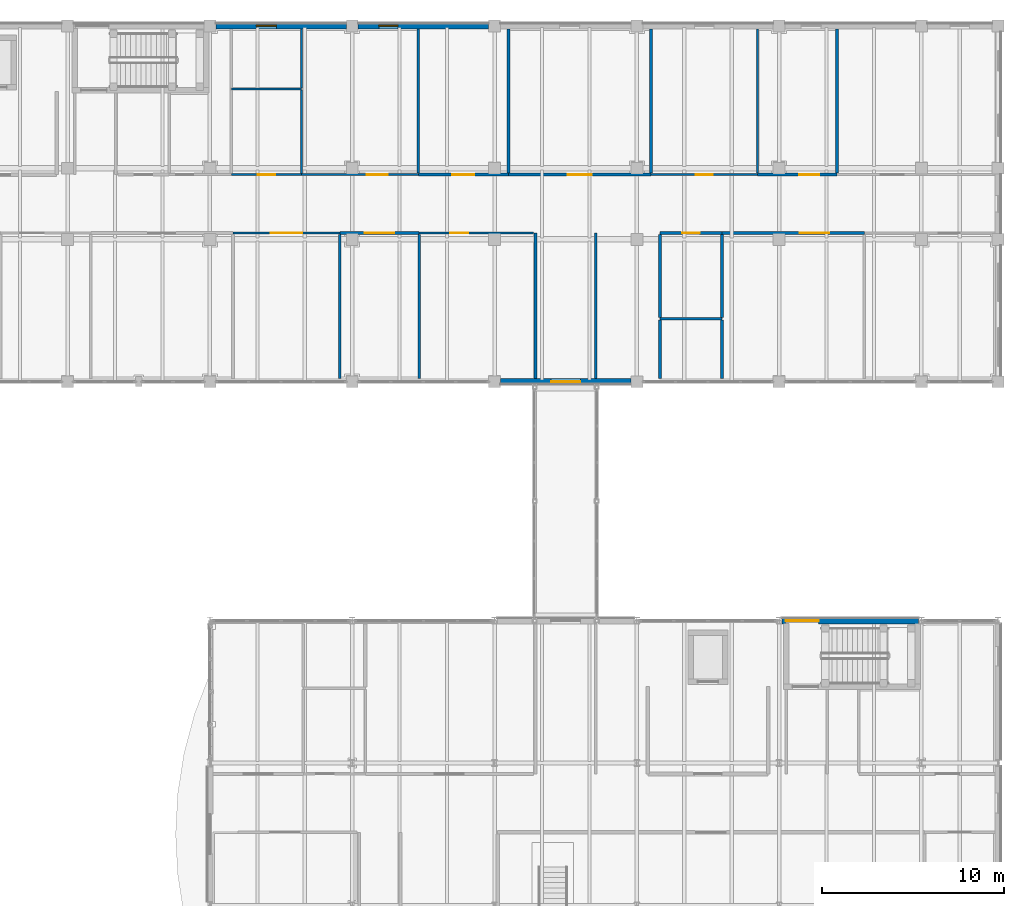
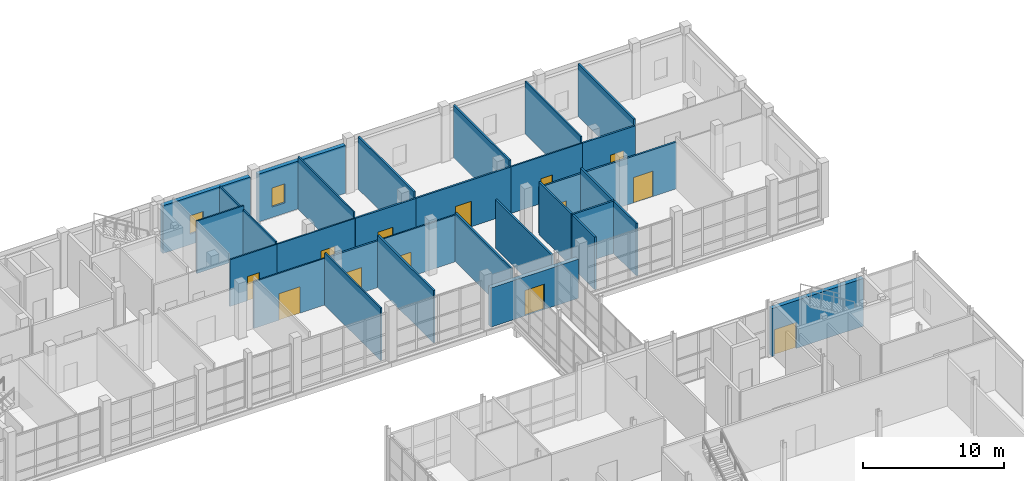
# One storey, part 104 of 131: 32 walls, 13 doors, 2 windows, 15 openings.
"""IFC4 building model written with IfcOpenShell, lengths in metres."""

from ifc_helpers import new_model, si_unit, direction, frame, frame_2d, origin, place, context, subcontext, project, spatial, rectangle, extrude, material, layer, layer_set, type_object, element, fill, save


model = new_model("IFC4")

# Units and contexts
model_context = context("Model", 3, precision=1e-05, world=origin(), true_north=direction((0.0, 1.0)))
body_context = subcontext(model_context, "Body", "Model", "MODEL_VIEW")
ifc_project = project(units=[si_unit("LENGTHUNIT", "METRE"), si_unit("AREAUNIT", "SQUARE_METRE"), si_unit("VOLUMEUNIT", "CUBIC_METRE"), si_unit("PLANEANGLEUNIT", "RADIAN"), si_unit("MASSUNIT", "GRAM", prefix="KILO")], contexts=[model_context])

# Site, building, storey
site_placement = place(None, origin())
site = spatial("IfcSite", under=ifc_project, at=site_placement, CompositionType="ELEMENT")
building_placement = place(site_placement, origin())
building = spatial("IfcBuilding", under=site, at=building_placement, Name="Celorna Specialist Clinic", CompositionType="ELEMENT")
storey_placement = place(building_placement, origin())
storey = spatial("IfcBuildingStorey", under=building, at=storey_placement, Name="L00", CompositionType="ELEMENT", Elevation=0.0)

# Wall, opening, door
ifc_material_1 = material(Name="Pero Pinheiro Lioz limestone insulated masonry", Category="masonry")
ifc_layer_1 = layer(ifc_material_1, 0.340087890625, Name="Pero Pinheiro Lioz limestone insulated masonry")
ifc_layer_set_1 = layer_set([ifc_layer_1], Name="Pero Pinheiro Lioz limestone insulated masonry")
wall_type_1 = type_object("IfcWallType", Name="WT-07", PredefinedType="STANDARD", material=ifc_layer_set_1)
wall_1_placement = place(storey_placement, frame((156.14990234375, 83.39990234375, 0.0), z_axis=(0.0, 0.0, 1.0), x_axis=(1.0, 0.0, 0.0)))
wall_1 = element("IfcWall", 1, at=wall_1_placement, inside=storey, type_object=wall_type_1, Name="External facade wall WT-07 #145", PredefinedType="STANDARD", context=body_context, shape_type="SweptSolid", body=[
    extrude(rectangle(XDim=7.5, YDim=0.340087890625, at=frame_2d((3.75, 0.0))), origin(), (0.0, 0.0, 1.0), 4.139892578125),
])
opening_1_placement = place(wall_1_placement, frame((0.2099609375, 0.0, 0.0)))
opening_1 = element("IfcOpeningElement", 2, at=opening_1_placement, cuts=wall_1, Name="Opening DR-14", PredefinedType="OPENING", context=body_context, shape_type="SweptSolid", body=[
    extrude(rectangle(XDim=1.800048828125, YDim=2.25, at=frame_2d((0.89990234375, 1.125))), frame((0.0, 0.179931640625, 0.0), z_axis=(0.0, -1.0, 0.0), x_axis=(1.0, 0.0, 0.0)), (0.0, 0.0, 1.0), 0.360107421875),
])
ifc_material_2 = material(Name="Glazed aluminium final exit double door", Category="aluminium")
door_type_1 = type_object("IfcDoorType", Name="DR-14", OperationType="DOUBLE_DOOR_SINGLE_SWING", PredefinedType="DOOR", material=ifc_material_2)
door_1_placement = place(opening_1_placement, origin())
door_1 = element("IfcDoor", 3, at=door_1_placement, inside=storey, type_object=door_type_1, Name="Pedestrian final exit E12", OperationType="DOUBLE_DOOR_SINGLE_SWING", OverallHeight=2.25, OverallWidth=1.800048828125, PredefinedType="DOOR", context=body_context, shape_type="SweptSolid", body=[
    extrude(rectangle(XDim=1.800048828125, YDim=2.25, at=frame_2d((0.89990234375, 1.125))), frame((0.0, 0.02490234375, 0.0), z_axis=(0.0, -1.0, 0.0), x_axis=(1.0, 0.0, 0.0)), (0.0, 0.0, 1.0), 0.050048828125),
])
fill(opening_1, door_1)

wall_2_placement = place(storey_placement, frame((147.875, 96.5, 0.0), z_axis=(0.0, 0.0, 1.0), x_axis=(-1.0, 0.0, 0.0)))
wall_2 = element("IfcWall", 4, at=wall_2_placement, inside=storey, type_object=wall_type_1, Name="External facade wall WT-07 #158", PredefinedType="STANDARD", context=body_context, shape_type="SweptSolid", body=[
    extrude(rectangle(XDim=7.14990234375, YDim=0.340087890625, at=frame_2d((3.574951171875, 0.0))), origin(), (0.0, 0.0, 1.0), 3.385009765625),
])
opening_2_placement = place(wall_2_placement, frame((2.77490234375, 0.0, 0.0)))
opening_2 = element("IfcOpeningElement", 5, at=opening_2_placement, cuts=wall_2, Name="Opening DR-12", PredefinedType="OPENING", context=body_context, shape_type="SweptSolid", body=[
    extrude(rectangle(XDim=1.60009765625, YDim=2.199951171875, at=frame_2d((0.800048828125, 1.10009765625))), frame((0.0, 0.179931640625, 0.0), z_axis=(0.0, -1.0, 0.0), x_axis=(1.0, 0.0, 0.0)), (0.0, 0.0, 1.0), 0.360107421875),
])
ifc_material_3 = material(Name="Corridor cross-compartment pair door")
door_type_2 = type_object("IfcDoorType", Name="DR-12", OperationType="DOUBLE_DOOR_SINGLE_SWING", PredefinedType="DOOR", material=ifc_material_3)
door_2_placement = place(opening_2_placement, frame((1.60009765625, 0.0, 0.0), z_axis=(0.0, 0.0, 1.0), x_axis=(-1.0, 0.0, 0.0)))
door_2 = element("IfcDoor", 6, at=door_2_placement, inside=storey, type_object=door_type_2, Name="Bridge BR-05 north/east portal door L00", OperationType="DOUBLE_DOOR_SINGLE_SWING", OverallHeight=2.199951171875, OverallWidth=1.60009765625, PredefinedType="DOOR", context=body_context, shape_type="SweptSolid", body=[
    extrude(rectangle(XDim=1.60009765625, YDim=2.199951171875, at=frame_2d((0.800048828125, 1.10009765625))), frame((0.0, 0.02490234375, 0.0), z_axis=(0.0, -1.0, 0.0), x_axis=(1.0, 0.0, 0.0)), (0.0, 0.0, 1.0), 0.050048828125),
])
fill(opening_2, door_2)

# Wall, opening, window
wall_3_placement = place(storey_placement, frame((125.125, 116.0, 0.0), z_axis=(0.0, 0.0, 1.0), x_axis=(1.0, 0.0, 0.0)))
wall_3 = element("IfcWall", 7, at=wall_3_placement, inside=storey, type_object=wall_type_1, Name="External facade wall WT-07 #175", PredefinedType="STANDARD", context=body_context, shape_type="SweptSolid", body=[
    extrude(rectangle(XDim=7.14990234375, YDim=0.340087890625, at=frame_2d((3.574951171875, 0.0))), origin(), (0.0, 0.0, 1.0), 4.139892578125),
])
opening_3_placement = place(wall_3_placement, frame((2.219970703125, 0.0, 0.89990234375)))
opening_3 = element("IfcOpeningElement", 8, at=opening_3_placement, cuts=wall_3, Name="Opening WN-03", PredefinedType="OPENING", context=body_context, shape_type="SweptSolid", body=[
    extrude(rectangle(XDim=1.10009765625, YDim=1.60009765625, at=frame_2d((0.550048828125, 0.800048828125))), frame((0.0, 0.179931640625, 0.0), z_axis=(0.0, -1.0, 0.0), x_axis=(1.0, 0.0, 0.0)), (0.0, 0.0, 1.0), 0.360107421875),
])
ifc_material_4 = material(Name="Thermally broken aluminium triple-glazed window", Category="aluminium")
window_type_1 = type_object("IfcWindowType", Name="WN-03", PartitioningType="SINGLE_PANEL", PredefinedType="WINDOW", material=ifc_material_4)
window_1_placement = place(opening_3_placement, origin())
window_1 = element("IfcWindow", 9, at=window_1_placement, inside=storey, type_object=window_type_1, Name="Facade window WN-03 #67", OverallHeight=1.60009765625, OverallWidth=1.10009765625, PartitioningType="SINGLE_PANEL", PredefinedType="WINDOW", context=body_context, shape_type="SweptSolid", body=[
    extrude(rectangle(XDim=1.10009765625, YDim=1.60009765625, at=frame_2d((0.550048828125, 0.800048828125))), frame((0.0, 0.030029296875, 0.0), z_axis=(0.0, -1.0, 0.0), x_axis=(1.0, 0.0, 0.0)), (0.0, 0.0, 1.0), 0.06005859375),
])
fill(opening_3, window_1)

wall_4_placement = place(storey_placement, frame((132.925048828125, 116.0, 0.0), z_axis=(0.0, 0.0, 1.0), x_axis=(1.0, 0.0, 0.0)))
wall_4 = element("IfcWall", 10, at=wall_4_placement, inside=storey, type_object=wall_type_1, Name="External facade wall WT-07 #176", PredefinedType="STANDARD", context=body_context, shape_type="SweptSolid", body=[
    extrude(rectangle(XDim=7.14990234375, YDim=0.340087890625, at=frame_2d((3.574951171875, 0.0))), origin(), (0.0, 0.0, 1.0), 4.139892578125),
])
opening_4_placement = place(wall_4_placement, frame((1.132568359375, 0.0, 0.89990234375)))
opening_4 = element("IfcOpeningElement", 11, at=opening_4_placement, cuts=wall_4, Name="Opening WN-21", PredefinedType="OPENING", context=body_context, shape_type="SweptSolid", body=[
    extrude(rectangle(XDim=1.050048828125, YDim=1.64990234375, at=frame_2d((0.52490234375, 0.824951171875))), frame((0.0, 0.179931640625, 0.0), z_axis=(0.0, -1.0, 0.0), x_axis=(1.0, 0.0, 0.0)), (0.0, 0.0, 1.0), 0.360107421875),
])
window_type_2 = type_object("IfcWindowType", Name="WN-21", PartitioningType="SINGLE_PANEL", PredefinedType="WINDOW", material=ifc_material_4)
window_2_placement = place(opening_4_placement, origin())
window_2 = element("IfcWindow", 12, at=window_2_placement, inside=storey, type_object=window_type_2, Name="Facade window WN-21 #68", OverallHeight=1.64990234375, OverallWidth=1.050048828125, PartitioningType="SINGLE_PANEL", PredefinedType="WINDOW", context=body_context, shape_type="SweptSolid", body=[
    extrude(rectangle(XDim=1.050048828125, YDim=1.64990234375, at=frame_2d((0.52490234375, 0.824951171875))), frame((0.0, 0.030029296875, 0.0), z_axis=(0.0, -1.0, 0.0), x_axis=(1.0, 0.0, 0.0)), (0.0, 0.0, 1.0), 0.06005859375),
])
fill(opening_4, window_2)

# Walls
ifc_material_5 = material(Name="Fire-rated gypsum board partition")
ifc_layer_2 = layer(ifc_material_5, 0.14990234375, Name="Fire-rated gypsum board partition")
ifc_layer_set_2 = layer_set([ifc_layer_2], Name="Fire-rated gypsum board partition")
wall_type_2 = type_object("IfcWallType", Name="WT-14", PredefinedType="PARTITIONING", material=ifc_layer_set_2)
for number, where, z_axis, x_axis, name in (
    (13, (142.64990234375, 96.669921875, 0.0), (0.0, 0.0, 1.0), (0.0, 1.0, 0.0), "Corridor spur partition WT-14"),
    (14, (145.949951171875, 96.669921875, 0.0), (0.0, 0.0, 1.0), (0.0, 1.0, 0.0), "Corridor spur partition WT-14"),
):
    element("IfcWall", number, at=place(storey_placement, frame(where, z_axis=z_axis, x_axis=x_axis)), inside=storey, type_object=wall_type_2, Name=name, PredefinedType="PARTITIONING", context=body_context, shape_type="SweptSolid", body=[
        extrude(rectangle(XDim=7.97998046875, YDim=0.14990234375, at=frame_2d((3.989990234375, 0.0))), origin(), (0.0, 0.0, 1.0), 4.2099609375),
    ])

# Wall, opening, door
wall_5_placement = place(storey_placement, frame((136.27001953125, 104.64990234375, 0.0), z_axis=(0.0, 0.0, 1.0), x_axis=(-1.0, 0.0, 0.0)))
wall_5 = element("IfcWall", 15, at=wall_5_placement, inside=storey, type_object=wall_type_2, Name="Interior partition WT-14 L00-066", PredefinedType="PARTITIONING", context=body_context, shape_type="SweptSolid", body=[
    extrude(rectangle(XDim=4.35009765625, YDim=0.14990234375, at=frame_2d((2.175048828125, 0.0))), origin(), (0.0, 0.0, 1.0), 4.0400390625),
])
opening_5_placement = place(wall_5_placement, frame((1.375, 0.0, 0.0)))
opening_5 = element("IfcOpeningElement", 16, at=opening_5_placement, cuts=wall_5, Name="Opening DR-12", PredefinedType="OPENING", context=body_context, shape_type="SweptSolid", body=[
    extrude(rectangle(XDim=1.60009765625, YDim=2.199951171875, at=frame_2d((0.800048828125, 1.10009765625))), frame((0.0, 0.0849609375, 0.0), z_axis=(0.0, -1.0, 0.0), x_axis=(1.0, 0.0, 0.0)), (0.0, 0.0, 1.0), 0.169921875),
])
door_3_placement = place(opening_5_placement, origin())
door_3 = element("IfcDoor", 17, at=door_3_placement, inside=storey, type_object=door_type_2, Name="Outpatient Waiting Lounge door L00-066", OperationType="DOUBLE_DOOR_SINGLE_SWING", OverallHeight=2.199951171875, OverallWidth=1.60009765625, PredefinedType="DOOR", context=body_context, shape_type="SweptSolid", body=[
    extrude(rectangle(XDim=1.60009765625, YDim=2.199951171875, at=frame_2d((0.800048828125, 1.10009765625))), frame((0.0, 0.02490234375, 0.0), z_axis=(0.0, -1.0, 0.0), x_axis=(1.0, 0.0, 0.0)), (0.0, 0.0, 1.0), 0.050048828125),
])
fill(opening_5, door_3)

wall_6_placement = place(storey_placement, frame((152.8701171875, 104.64990234375, 0.0), z_axis=(0.0, 0.0, 1.0), x_axis=(-1.0, 0.0, 0.0)))
wall_6 = element("IfcWall", 18, at=wall_6_placement, inside=storey, type_object=wall_type_2, Name="Interior partition WT-14 L00-068", PredefinedType="PARTITIONING", context=body_context, shape_type="SweptSolid", body=[
    extrude(rectangle(XDim=3.400146484375, YDim=0.14990234375, at=frame_2d((1.7001953125, 0.0))), origin(), (0.0, 0.0, 1.0), 4.0400390625),
])
opening_6_placement = place(wall_6_placement, frame((1.22509765625, 0.0, 0.0)))
opening_6 = element("IfcOpeningElement", 19, at=opening_6_placement, cuts=wall_6, Name="Opening DR-03", PredefinedType="OPENING", context=body_context, shape_type="SweptSolid", body=[
    extrude(rectangle(XDim=0.949951171875, YDim=2.10009765625, at=frame_2d((0.47509765625, 1.050048828125))), frame((0.0, 0.0849609375, 0.0), z_axis=(0.0, -1.0, 0.0), x_axis=(1.0, 0.0, 0.0)), (0.0, 0.0, 1.0), 0.169921875),
])
ifc_material_6 = material(Name="Moisture-resistant accessible WC door")
door_type_3 = type_object("IfcDoorType", Name="DR-03", OperationType="NOTDEFINED", PredefinedType="DOOR", material=ifc_material_6)
door_4_placement = place(opening_6_placement, origin())
door_4 = element("IfcDoor", 20, at=door_4_placement, inside=storey, type_object=door_type_3, Name="Accessible WC door L00-068", OperationType="SINGLE_SWING_RIGHT", OverallHeight=2.10009765625, OverallWidth=0.949951171875, PredefinedType="DOOR", context=body_context, shape_type="SweptSolid", body=[
    extrude(rectangle(XDim=0.949951171875, YDim=2.10009765625, at=frame_2d((0.47509765625, 1.050048828125))), frame((0.0, 0.02490234375, 0.0), z_axis=(0.0, -1.0, 0.0), x_axis=(1.0, 0.0, 0.0)), (0.0, 0.0, 1.0), 0.050048828125),
])
fill(opening_6, door_4)

# Wall
wall_7_placement = place(storey_placement, frame((149.469970703125, 99.949951171875, 0.0), z_axis=(0.0, 0.0, 1.0), x_axis=(1.0, 0.0, 0.0)))
element("IfcWall", 21, at=wall_7_placement, inside=storey, type_object=wall_type_2, Name="Sanitary suite rear partition L00-068", PredefinedType="PARTITIONING", context=body_context, shape_type="SweptSolid", body=[
    extrude(rectangle(XDim=3.400146484375, YDim=0.14990234375, at=frame_2d((1.7001953125, 0.0))), origin(), (0.0, 0.0, 1.0), 4.5400390625),
])

# Wall, opening, door
wall_8_placement = place(storey_placement, frame((160.669921875, 104.64990234375, 0.0), z_axis=(0.0, 0.0, 1.0), x_axis=(-1.0, 0.0, 0.0)))
wall_8 = element("IfcWall", 22, at=wall_8_placement, inside=storey, type_object=wall_type_2, Name="Interior partition WT-14 L00-069", PredefinedType="PARTITIONING", context=body_context, shape_type="SweptSolid", body=[
    extrude(rectangle(XDim=7.7998046875, YDim=0.14990234375, at=frame_2d((3.89990234375, 0.0))), origin(), (0.0, 0.0, 1.0), 4.0400390625),
])
opening_7_placement = place(wall_8_placement, frame((1.929931640625, 0.0, 0.0)))
opening_7 = element("IfcOpeningElement", 23, at=opening_7_placement, cuts=wall_8, Name="Opening DR-12", PredefinedType="OPENING", context=body_context, shape_type="SweptSolid", body=[
    extrude(rectangle(XDim=1.60009765625, YDim=2.199951171875, at=frame_2d((0.800048828125, 1.10009765625))), frame((0.0, 0.0849609375, 0.0), z_axis=(0.0, -1.0, 0.0), x_axis=(1.0, 0.0, 0.0)), (0.0, 0.0, 1.0), 0.169921875),
])
door_5_placement = place(opening_7_placement, origin())
door_5 = element("IfcDoor", 24, at=door_5_placement, inside=storey, type_object=door_type_2, Name="Outpatient Waiting Lounge door L00-069", OperationType="DOUBLE_DOOR_SINGLE_SWING", OverallHeight=2.199951171875, OverallWidth=1.60009765625, PredefinedType="DOOR", context=body_context, shape_type="SweptSolid", body=[
    extrude(rectangle(XDim=1.60009765625, YDim=2.199951171875, at=frame_2d((0.800048828125, 1.10009765625))), frame((0.0, 0.02490234375, 0.0), z_axis=(0.0, -1.0, 0.0), x_axis=(1.0, 0.0, 0.0)), (0.0, 0.0, 1.0), 0.050048828125),
])
fill(opening_7, door_5)

wall_9_placement = place(storey_placement, frame((136.219970703125, 107.85009765625, 0.0), z_axis=(0.0, 0.0, 1.0), x_axis=(1.0, 0.0, 0.0)))
wall_9 = element("IfcWall", 25, at=wall_9_placement, inside=storey, type_object=wall_type_2, Name="Interior partition WT-14 L00-083", PredefinedType="PARTITIONING", context=body_context, shape_type="SweptSolid", body=[
    extrude(rectangle(XDim=4.949951171875, YDim=0.14990234375, at=frame_2d((2.47509765625, 0.0))), origin(), (0.0, 0.0, 1.0), 4.0400390625),
])
opening_8_placement = place(wall_9_placement, frame((1.875, 0.0, 0.0)))
opening_8 = element("IfcOpeningElement", 26, at=opening_8_placement, cuts=wall_9, Name="Opening DR-08", PredefinedType="OPENING", context=body_context, shape_type="SweptSolid", body=[
    extrude(rectangle(XDim=1.199951171875, YDim=2.199951171875, at=frame_2d((0.60009765625, 1.10009765625))), frame((0.0, 0.0849609375, 0.0), z_axis=(0.0, -1.0, 0.0), x_axis=(1.0, 0.0, 0.0)), (0.0, 0.0, 1.0), 0.169921875),
])
ifc_material_7 = material(Name="Stretcher-width clinical door")
door_type_4 = type_object("IfcDoorType", Name="DR-08", OperationType="NOTDEFINED", PredefinedType="DOOR", material=ifc_material_7)
door_6_placement = place(opening_8_placement, origin())
door_6 = element("IfcDoor", 27, at=door_6_placement, inside=storey, type_object=door_type_4, Name="Outpatient Clinic door L00-083", OperationType="SINGLE_SWING_LEFT", OverallHeight=2.199951171875, OverallWidth=1.199951171875, PredefinedType="DOOR", context=body_context, shape_type="SweptSolid", body=[
    extrude(rectangle(XDim=1.199951171875, YDim=2.199951171875, at=frame_2d((0.60009765625, 1.10009765625))), frame((0.0, 0.02490234375, 0.0), z_axis=(0.0, -1.0, 0.0), x_axis=(1.0, 0.0, 0.0)), (0.0, 0.0, 1.0), 0.050048828125),
])
fill(opening_8, door_6)

wall_10_placement = place(storey_placement, frame((141.169921875, 107.85009765625, 0.0), z_axis=(0.0, 0.0, 1.0), x_axis=(1.0, 0.0, 0.0)))
wall_10 = element("IfcWall", 28, at=wall_10_placement, inside=storey, type_object=wall_type_2, Name="Interior partition WT-14 L00-084", PredefinedType="PARTITIONING", context=body_context, shape_type="SweptSolid", body=[
    extrude(rectangle(XDim=7.800048828125, YDim=0.14990234375, at=frame_2d((3.89990234375, 0.0))), origin(), (0.0, 0.0, 1.0), 4.0400390625),
])
opening_9_placement = place(wall_10_placement, frame((3.25, 0.0, 0.0)))
opening_9 = element("IfcOpeningElement", 29, at=opening_9_placement, cuts=wall_10, Name="Opening DR-09", PredefinedType="OPENING", context=body_context, shape_type="SweptSolid", body=[
    extrude(rectangle(XDim=1.300048828125, YDim=2.199951171875, at=frame_2d((0.64990234375, 1.10009765625))), frame((0.0, 0.0849609375, 0.0), z_axis=(0.0, -1.0, 0.0), x_axis=(1.0, 0.0, 0.0)), (0.0, 0.0, 1.0), 0.169921875),
])
ifc_material_8 = material(Name="Lead-lined radiology room door")
door_type_5 = type_object("IfcDoorType", Name="DR-09", OperationType="NOTDEFINED", PredefinedType="DOOR", material=ifc_material_8)
door_7_placement = place(opening_9_placement, origin())
door_7 = element("IfcDoor", 30, at=door_7_placement, inside=storey, type_object=door_type_5, Name="Consulting Room door L00-084", OperationType="SINGLE_SWING_RIGHT", OverallHeight=2.199951171875, OverallWidth=1.300048828125, PredefinedType="DOOR", context=body_context, shape_type="SweptSolid", body=[
    extrude(rectangle(XDim=1.300048828125, YDim=2.199951171875, at=frame_2d((0.64990234375, 1.10009765625))), frame((0.0, 0.02490234375, 0.0), z_axis=(0.0, -1.0, 0.0), x_axis=(1.0, 0.0, 0.0)), (0.0, 0.0, 1.0), 0.050048828125),
])
fill(opening_9, door_7)

wall_11_placement = place(storey_placement, frame((154.820068359375, 107.85009765625, 0.0), z_axis=(0.0, 0.0, 1.0), x_axis=(1.0, 0.0, 0.0)))
wall_11 = element("IfcWall", 31, at=wall_11_placement, inside=storey, type_object=wall_type_2, Name="Interior partition WT-14 L00-086", PredefinedType="PARTITIONING", context=body_context, shape_type="SweptSolid", body=[
    extrude(rectangle(XDim=4.349853515625, YDim=0.14990234375, at=frame_2d((2.1748046875, 0.0))), origin(), (0.0, 0.0, 1.0), 4.0400390625),
])
opening_10_placement = place(wall_11_placement, frame((2.28759765625, 0.0, 0.0)))
opening_10 = element("IfcOpeningElement", 32, at=opening_10_placement, cuts=wall_11, Name="Opening DR-21", PredefinedType="OPENING", context=body_context, shape_type="SweptSolid", body=[
    extrude(rectangle(XDim=1.080078125, YDim=2.199951171875, at=frame_2d((0.5400390625, 1.10009765625))), frame((0.0, 0.0849609375, 0.0), z_axis=(0.0, -1.0, 0.0), x_axis=(1.0, 0.0, 0.0)), (0.0, 0.0, 1.0), 0.169921875),
])
ifc_material_9 = material(Name="Timber outpatient suite door", Category="wood")
door_type_6 = type_object("IfcDoorType", Name="DR-21", OperationType="NOTDEFINED", PredefinedType="DOOR", material=ifc_material_9)
door_8_placement = place(opening_10_placement, origin())
door_8 = element("IfcDoor", 33, at=door_8_placement, inside=storey, type_object=door_type_6, Name="Phlebotomy and Blood Collection Suite door L00-086", OperationType="SINGLE_SWING_RIGHT", OverallHeight=2.199951171875, OverallWidth=1.080078125, PredefinedType="DOOR", context=body_context, shape_type="SweptSolid", body=[
    extrude(rectangle(XDim=1.080078125, YDim=2.199951171875, at=frame_2d((0.5400390625, 1.10009765625))), frame((0.0, 0.02490234375, 0.0), z_axis=(0.0, -1.0, 0.0), x_axis=(1.0, 0.0, 0.0)), (0.0, 0.0, 1.0), 0.050048828125),
])
fill(opening_10, door_8)

# Walls
wall_12_placement = place(storey_placement, frame((136.27001953125, 96.669921875, 0.0), z_axis=(0.0, 0.0, 1.0), x_axis=(0.0, 1.0, 0.0)))
element("IfcWall", 34, at=wall_12_placement, inside=storey, type_object=wall_type_2, Name="Room dividing partition WT-14 L00-066", PredefinedType="PARTITIONING", context=body_context, shape_type="SweptSolid", body=[
    extrude(rectangle(XDim=7.905029296875, YDim=0.14990234375, at=frame_2d((3.95263671875, 0.0))), origin(), (0.0, 0.0, 1.0), 4.5400390625),
])
for number, where, z_axis, x_axis, name in (
    (35, (149.469970703125, 100.02490234375, 0.0), (0.0, 0.0, 1.0), (0.0, 1.0, 0.0), "Room dividing partition WT-14 L00-068"),
    (36, (152.8701171875, 100.02490234375, 0.0), (0.0, 0.0, 1.0), (0.0, 1.0, 0.0), "Room dividing partition WT-14 L00-068"),
):
    element("IfcWall", number, at=place(storey_placement, frame(where, z_axis=z_axis, x_axis=x_axis)), inside=storey, type_object=wall_type_2, Name=name, PredefinedType="PARTITIONING", context=body_context, shape_type="SweptSolid", body=[
        extrude(rectangle(XDim=4.550048828125, YDim=0.14990234375, at=frame_2d((2.27490234375, 0.0))), origin(), (0.0, 0.0, 1.0), 4.5400390625),
    ])
for number, where, z_axis, x_axis, name in (
    (37, (152.8701171875, 96.669921875, 0.0), (0.0, 0.0, 1.0), (0.0, 1.0, 0.0), "Room dividing partition WT-14 L00-069"),
    (38, (149.469970703125, 96.669921875, 0.0), (0.0, 0.0, 1.0), (0.0, 1.0, 0.0), "Room dividing partition WT-14 L00-069"),
):
    element("IfcWall", number, at=place(storey_placement, frame(where, z_axis=z_axis, x_axis=x_axis)), inside=storey, type_object=wall_type_2, Name=name, PredefinedType="PARTITIONING", context=body_context, shape_type="SweptSolid", body=[
        extrude(rectangle(XDim=3.205078125, YDim=0.14990234375, at=frame_2d((1.6025390625, 0.0))), origin(), (0.0, 0.0, 1.0), 4.5400390625),
    ])
for number, where, z_axis, x_axis, name in (
    (39, (141.169921875, 107.925048828125, 0.0), (0.0, 0.0, 1.0), (0.0, 1.0, 0.0), "Room dividing partition WT-14 L00-083"),
    (40, (148.969970703125, 107.925048828125, 0.0), (0.0, 0.0, 1.0), (0.0, 1.0, 0.0), "Room dividing partition WT-14 L00-084"),
    (41, (159.169921875, 107.925048828125, 0.0), (0.0, 0.0, 1.0), (0.0, 1.0, 0.0), "Room dividing partition WT-14 L00-086"),
):
    element("IfcWall", number, at=place(storey_placement, frame(where, z_axis=z_axis, x_axis=x_axis)), inside=storey, type_object=wall_type_2, Name=name, PredefinedType="PARTITIONING", context=body_context, shape_type="SweptSolid", body=[
        extrude(rectangle(XDim=7.905029296875, YDim=0.14990234375, at=frame_2d((3.95263671875, 0.0))), origin(), (0.0, 0.0, 1.0), 4.5400390625),
    ])

# Wall, opening, door
ifc_material_10 = material(Name="Acoustic gypsum board partition")
ifc_layer_3 = layer(ifc_material_10, 0.1201171875, Name="Acoustic gypsum board partition")
ifc_layer_set_3 = layer_set([ifc_layer_3], Name="Acoustic gypsum board partition")
wall_type_3 = type_object("IfcWallType", Name="WT-15", PredefinedType="PARTITIONING", material=ifc_layer_set_3)
wall_13_placement = place(storey_placement, frame((131.919921875, 104.64990234375, 0.0), z_axis=(0.0, 0.0, 1.0), x_axis=(-1.0, 0.0, 0.0)))
wall_13 = element("IfcWall", 42, at=wall_13_placement, inside=storey, type_object=wall_type_3, Name="Interior partition WT-15 L00-065", PredefinedType="PARTITIONING", context=body_context, shape_type="SweptSolid", body=[
    extrude(rectangle(XDim=5.849853515625, YDim=0.1201171875, at=frame_2d((2.9248046875, 0.0))), origin(), (0.0, 0.0, 1.0), 4.0400390625),
])
opening_11_placement = place(wall_13_placement, frame((2.06494140625, 0.0, 0.0)))
opening_11 = element("IfcOpeningElement", 43, at=opening_11_placement, cuts=wall_13, Name="Opening DR-24", PredefinedType="OPENING", context=body_context, shape_type="SweptSolid", body=[
    extrude(rectangle(XDim=1.719970703125, YDim=2.300048828125, at=frame_2d((0.85986328125, 1.14990234375))), frame((0.0, 0.070068359375, 0.0), z_axis=(0.0, -1.0, 0.0), x_axis=(1.0, 0.0, 0.0)), (0.0, 0.0, 1.0), 0.14013671875),
])
ifc_material_11 = material(Name="Double leaf clinical waiting door")
door_type_7 = type_object("IfcDoorType", Name="DR-24", OperationType="DOUBLE_DOOR_SINGLE_SWING", PredefinedType="DOOR", material=ifc_material_11)
door_9_placement = place(opening_11_placement, origin())
door_9 = element("IfcDoor", 44, at=door_9_placement, inside=storey, type_object=door_type_7, Name="ECG and Vital Signs Triage Room door L00-065", OperationType="DOUBLE_DOOR_SINGLE_SWING", OverallHeight=2.300048828125, OverallWidth=1.719970703125, PredefinedType="DOOR", context=body_context, shape_type="SweptSolid", body=[
    extrude(rectangle(XDim=1.719970703125, YDim=2.300048828125, at=frame_2d((0.85986328125, 1.14990234375))), frame((0.0, 0.02490234375, 0.0), z_axis=(0.0, -1.0, 0.0), x_axis=(1.0, 0.0, 0.0)), (0.0, 0.0, 1.0), 0.050048828125),
])
fill(opening_11, door_9)

wall_14_placement = place(storey_placement, frame((142.530029296875, 104.64990234375, 0.0), z_axis=(0.0, 0.0, 1.0), x_axis=(-1.0, 0.0, 0.0)))
wall_14 = element("IfcWall", 45, at=wall_14_placement, inside=storey, type_object=wall_type_3, Name="Interior partition WT-15 L00-067", PredefinedType="PARTITIONING", context=body_context, shape_type="SweptSolid", body=[
    extrude(rectangle(XDim=6.260009765625, YDim=0.1201171875, at=frame_2d((3.1298828125, 0.0))), origin(), (0.0, 0.0, 1.0), 4.0400390625),
])
opening_12_placement = place(wall_14_placement, frame((3.569091796875, 0.0, 0.0)))
opening_12 = element("IfcOpeningElement", 46, at=opening_12_placement, cuts=wall_14, Name="Opening DR-04", PredefinedType="OPENING", context=body_context, shape_type="SweptSolid", body=[
    extrude(rectangle(XDim=1.0, YDim=2.10009765625, at=frame_2d((0.5, 1.050048828125))), frame((0.0, 0.070068359375, 0.0), z_axis=(0.0, -1.0, 0.0), x_axis=(1.0, 0.0, 0.0)), (0.0, 0.0, 1.0), 0.14013671875),
])
ifc_material_12 = material(Name="Timber consultation suite door", Category="wood")
door_type_8 = type_object("IfcDoorType", Name="DR-04", OperationType="NOTDEFINED", PredefinedType="DOOR", material=ifc_material_12)
door_10_placement = place(opening_12_placement, origin())
door_10 = element("IfcDoor", 47, at=door_10_placement, inside=storey, type_object=door_type_8, Name="Clean Utility Room door L00-067", OperationType="SINGLE_SWING_LEFT", OverallHeight=2.10009765625, OverallWidth=1.0, PredefinedType="DOOR", context=body_context, shape_type="SweptSolid", body=[
    extrude(rectangle(XDim=1.0, YDim=2.10009765625, at=frame_2d((0.5, 1.050048828125))), frame((0.0, 0.02490234375, 0.0), z_axis=(0.0, -1.0, 0.0), x_axis=(1.0, 0.0, 0.0)), (0.0, 0.0, 1.0), 0.050048828125),
])
fill(opening_12, door_10)

wall_15_placement = place(storey_placement, frame((125.969970703125, 107.85009765625, 0.0), z_axis=(0.0, 0.0, 1.0), x_axis=(1.0, 0.0, 0.0)))
wall_15 = element("IfcWall", 48, at=wall_15_placement, inside=storey, type_object=wall_type_3, Name="Interior partition WT-15 L00-081", PredefinedType="PARTITIONING", context=body_context, shape_type="SweptSolid", body=[
    extrude(rectangle(XDim=3.85009765625, YDim=0.1201171875, at=frame_2d((1.925048828125, 0.0))), origin(), (0.0, 0.0, 1.0), 4.0400390625),
])
opening_13_placement = place(wall_15_placement, frame((1.449951171875, 0.0, 0.0)))
opening_13 = element("IfcOpeningElement", 49, at=opening_13_placement, cuts=wall_15, Name="Opening DR-03", PredefinedType="OPENING", context=body_context, shape_type="SweptSolid", body=[
    extrude(rectangle(XDim=0.949951171875, YDim=2.10009765625, at=frame_2d((0.47509765625, 1.050048828125))), frame((0.0, 0.070068359375, 0.0), z_axis=(0.0, -1.0, 0.0), x_axis=(1.0, 0.0, 0.0)), (0.0, 0.0, 1.0), 0.14013671875),
])
door_11_placement = place(opening_13_placement, origin())
door_11 = element("IfcDoor", 50, at=door_11_placement, inside=storey, type_object=door_type_3, Name="Public Male WC door L00-081", OperationType="SINGLE_SWING_LEFT", OverallHeight=2.10009765625, OverallWidth=0.949951171875, PredefinedType="DOOR", context=body_context, shape_type="SweptSolid", body=[
    extrude(rectangle(XDim=0.949951171875, YDim=2.10009765625, at=frame_2d((0.47509765625, 1.050048828125))), frame((0.0, 0.02490234375, 0.0), z_axis=(0.0, -1.0, 0.0), x_axis=(1.0, 0.0, 0.0)), (0.0, 0.0, 1.0), 0.050048828125),
])
fill(opening_13, door_11)

# Wall
wall_16_placement = place(storey_placement, frame((125.969970703125, 112.550048828125, 0.0), z_axis=(0.0, 0.0, 1.0), x_axis=(1.0, 0.0, 0.0)))
element("IfcWall", 51, at=wall_16_placement, inside=storey, type_object=wall_type_3, Name="Sanitary suite rear partition L00-081", PredefinedType="PARTITIONING", context=body_context, shape_type="SweptSolid", body=[
    extrude(rectangle(XDim=3.85009765625, YDim=0.1201171875, at=frame_2d((1.925048828125, 0.0))), origin(), (0.0, 0.0, 1.0), 4.5400390625),
])

# Wall, opening, door
wall_17_placement = place(storey_placement, frame((129.820068359375, 107.85009765625, 0.0), z_axis=(0.0, 0.0, 1.0), x_axis=(1.0, 0.0, 0.0)))
wall_17 = element("IfcWall", 52, at=wall_17_placement, inside=storey, type_object=wall_type_3, Name="Interior partition WT-15 L00-082", PredefinedType="PARTITIONING", context=body_context, shape_type="SweptSolid", body=[
    extrude(rectangle(XDim=6.39990234375, YDim=0.1201171875, at=frame_2d((3.199951171875, 0.0))), origin(), (0.0, 0.0, 1.0), 4.0400390625),
])
opening_14_placement = place(wall_17_placement, frame((3.5849609375, 0.0, 0.0)))
opening_14 = element("IfcOpeningElement", 53, at=opening_14_placement, cuts=wall_17, Name="Opening DR-07", PredefinedType="OPENING", context=body_context, shape_type="SweptSolid", body=[
    extrude(rectangle(XDim=1.14990234375, YDim=2.199951171875, at=frame_2d((0.574951171875, 1.10009765625))), frame((0.0, 0.070068359375, 0.0), z_axis=(0.0, -1.0, 0.0), x_axis=(1.0, 0.0, 0.0)), (0.0, 0.0, 1.0), 0.14013671875),
])
ifc_material_13 = material(Name="Hermetic cleanroom airlock door")
door_type_9 = type_object("IfcDoorType", Name="DR-07", OperationType="NOTDEFINED", PredefinedType="DOOR", material=ifc_material_13)
door_12_placement = place(opening_14_placement, origin())
door_12 = element("IfcDoor", 54, at=door_12_placement, inside=storey, type_object=door_type_9, Name="ECG and Vital Signs Triage Room door L00-082", OperationType="SINGLE_SWING_RIGHT", OverallHeight=2.199951171875, OverallWidth=1.14990234375, PredefinedType="DOOR", context=body_context, shape_type="SweptSolid", body=[
    extrude(rectangle(XDim=1.14990234375, YDim=2.199951171875, at=frame_2d((0.574951171875, 1.10009765625))), frame((0.0, 0.02490234375, 0.0), z_axis=(0.0, -1.0, 0.0), x_axis=(1.0, 0.0, 0.0)), (0.0, 0.0, 1.0), 0.050048828125),
])
fill(opening_14, door_12)

wall_18_placement = place(storey_placement, frame((148.969970703125, 107.85009765625, 0.0), z_axis=(0.0, 0.0, 1.0), x_axis=(1.0, 0.0, 0.0)))
wall_18 = element("IfcWall", 55, at=wall_18_placement, inside=storey, type_object=wall_type_3, Name="Interior partition WT-15 L00-085", PredefinedType="PARTITIONING", context=body_context, shape_type="SweptSolid", body=[
    extrude(rectangle(XDim=5.85009765625, YDim=0.1201171875, at=frame_2d((2.925048828125, 0.0))), origin(), (0.0, 0.0, 1.0), 4.0400390625),
])
opening_15_placement = place(wall_18_placement, frame((2.465087890625, 0.0, 0.0)))
opening_15 = element("IfcOpeningElement", 56, at=opening_15_placement, cuts=wall_18, Name="Opening DR-20", PredefinedType="OPENING", context=body_context, shape_type="SweptSolid", body=[
    extrude(rectangle(XDim=0.919921875, YDim=2.14990234375, at=frame_2d((0.4599609375, 1.074951171875))), frame((0.0, 0.070068359375, 0.0), z_axis=(0.0, -1.0, 0.0), x_axis=(1.0, 0.0, 0.0)), (0.0, 0.0, 1.0), 0.14013671875),
])
ifc_material_14 = material(Name="Timber clinical consultation door", Category="wood")
door_type_10 = type_object("IfcDoorType", Name="DR-20", OperationType="NOTDEFINED", PredefinedType="DOOR", material=ifc_material_14)
door_13_placement = place(opening_15_placement, origin())
door_13 = element("IfcDoor", 57, at=door_13_placement, inside=storey, type_object=door_type_10, Name="Specialist Examination Room door L00-085", OperationType="SINGLE_SWING_LEFT", OverallHeight=2.14990234375, OverallWidth=0.919921875, PredefinedType="DOOR", context=body_context, shape_type="SweptSolid", body=[
    extrude(rectangle(XDim=0.919921875, YDim=2.14990234375, at=frame_2d((0.4599609375, 1.074951171875))), frame((0.0, 0.02490234375, 0.0), z_axis=(0.0, -1.0, 0.0), x_axis=(1.0, 0.0, 0.0)), (0.0, 0.0, 1.0), 0.050048828125),
])
fill(opening_15, door_13)

# Walls
wall_19_placement = place(storey_placement, frame((131.919921875, 96.669921875, 0.0), z_axis=(0.0, 0.0, 1.0), x_axis=(0.0, 1.0, 0.0)))
element("IfcWall", 58, at=wall_19_placement, inside=storey, type_object=wall_type_3, Name="Room dividing partition WT-15 L00-065", PredefinedType="PARTITIONING", context=body_context, shape_type="SweptSolid", body=[
    extrude(rectangle(XDim=7.905029296875, YDim=0.1201171875, at=frame_2d((3.95263671875, 0.0))), origin(), (0.0, 0.0, 1.0), 4.5400390625),
])
wall_20_placement = place(storey_placement, frame((129.820068359375, 107.909912109375, 0.0), z_axis=(0.0, 0.0, 1.0), x_axis=(0.0, 1.0, 0.0)))
element("IfcWall", 59, at=wall_20_placement, inside=storey, type_object=wall_type_3, Name="Room dividing partition WT-15 L00-081", PredefinedType="PARTITIONING", context=body_context, shape_type="SweptSolid", body=[
    extrude(rectangle(XDim=4.580078125, YDim=0.1201171875, at=frame_2d((2.2900390625, 0.0))), origin(), (0.0, 0.0, 1.0), 4.2099609375),
])
wall_21_placement = place(storey_placement, frame((129.820068359375, 112.610107421875, 0.0), z_axis=(0.0, 0.0, 1.0), x_axis=(0.0, 1.0, 0.0)))
element("IfcWall", 60, at=wall_21_placement, inside=storey, type_object=wall_type_3, Name="Room dividing partition WT-15 L00-082", PredefinedType="PARTITIONING", context=body_context, shape_type="SweptSolid", body=[
    extrude(rectangle(XDim=3.219970703125, YDim=0.1201171875, at=frame_2d((1.60986328125, 0.0))), origin(), (0.0, 0.0, 1.0), 4.2099609375),
])
for number, where, z_axis, x_axis, name in (
    (61, (136.219970703125, 107.925048828125, 0.0), (0.0, 0.0, 1.0), (0.0, 1.0, 0.0), "Room dividing partition WT-15 L00-082"),
    (62, (154.820068359375, 107.925048828125, 0.0), (0.0, 0.0, 1.0), (0.0, 1.0, 0.0), "Room dividing partition WT-15 L00-085"),
):
    element("IfcWall", number, at=place(storey_placement, frame(where, z_axis=z_axis, x_axis=x_axis)), inside=storey, type_object=wall_type_3, Name=name, PredefinedType="PARTITIONING", context=body_context, shape_type="SweptSolid", body=[
        extrude(rectangle(XDim=7.905029296875, YDim=0.1201171875, at=frame_2d((3.95263671875, 0.0))), origin(), (0.0, 0.0, 1.0), 4.5400390625),
    ])

save(model, "model.ifc")
